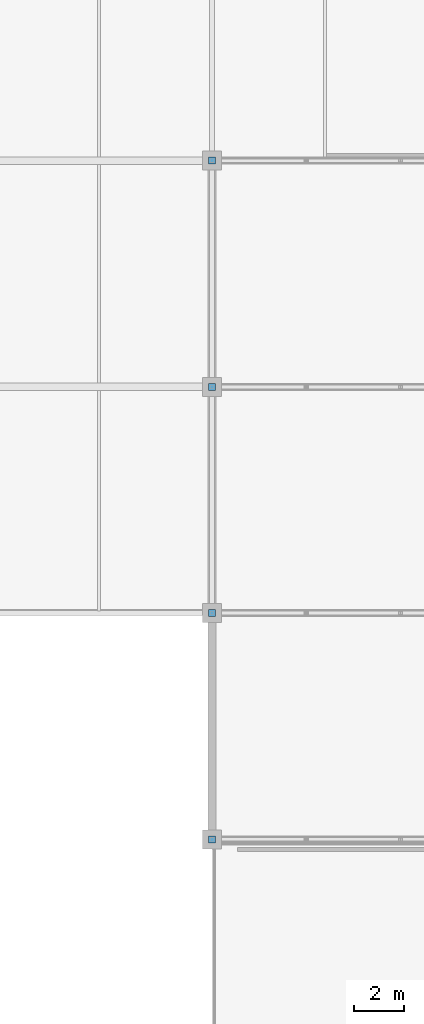
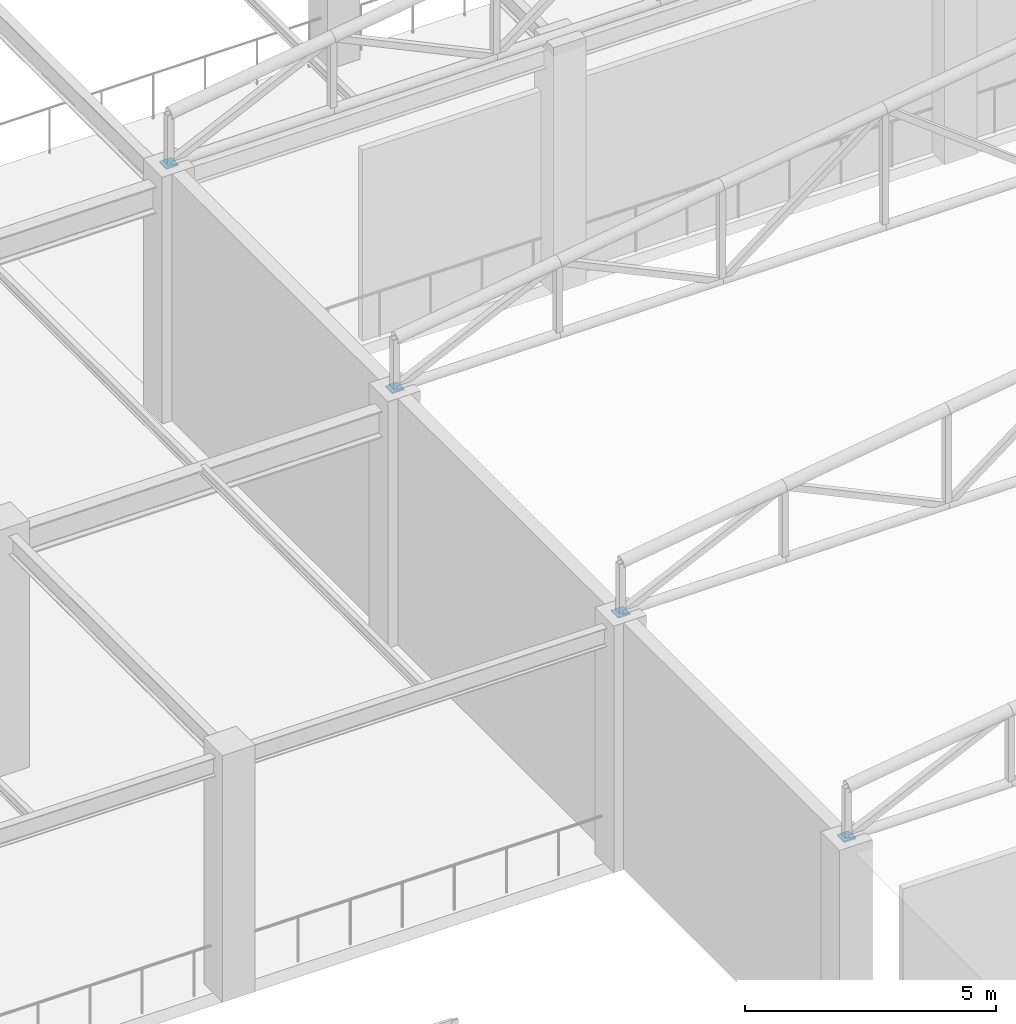
# One storey, part 199 of 223: 4 discrete accessories.
"""IFC4 building model written with IfcOpenShell, lengths in metres."""

from ifc_helpers import new_model, si_unit, direction, frame, origin, origin_2d, place, context, subcontext, project, spatial, rectangle, extrude, material, layer, layer_set, type_object, element, save


model = new_model("IFC4")

# Units and contexts
model_context = context("Model", 3, precision=1e-05, world=origin(), true_north=direction((0.0, 1.0)))
body_context = subcontext(model_context, "Body", "Model", "MODEL_VIEW")
ifc_project = project(units=[si_unit("LENGTHUNIT", "METRE"), si_unit("AREAUNIT", "SQUARE_METRE"), si_unit("VOLUMEUNIT", "CUBIC_METRE"), si_unit("PLANEANGLEUNIT", "RADIAN"), si_unit("MASSUNIT", "GRAM", prefix="KILO")], contexts=[model_context])

# Site, building, storey
site_placement = place(None, origin())
site = spatial("IfcSite", under=ifc_project, at=site_placement, CompositionType="ELEMENT")
building_placement = place(site_placement, origin())
building = spatial("IfcBuilding", under=site, at=building_placement, Name="Dornveld Trade and Exhibition Forum", CompositionType="ELEMENT")
storey_placement = place(building_placement, frame((0.0, 0.0, 6.0)))
storey = spatial("IfcBuildingStorey", under=building, at=storey_placement, Name="L01", CompositionType="ELEMENT", Elevation=6.0)

# Discrete accessories
ifc_material = material(Name="Steel S355J2", Category="steel")
ifc_layer = layer(ifc_material, 0.035888671875)
ifc_layer_set = layer_set([ifc_layer], Name="Steel S355J2")
discrete_accessory_type = type_object("IfcDiscreteAccessoryType", Name="ACC-CORE-EMB", PredefinedType="BRACKET", material=ifc_layer_set)
for number, where, z_axis, x_axis, name in (
    (1, (153.0, 18.0, 5.9619140625), (0.0, 0.0, 1.0), (1.0, 0.0, 0.0), "Core wall cast-in steel embed plate 1"),
    (2, (153.0, 27.0, 5.9619140625), (0.0, 0.0, 1.0), (1.0, 0.0, 0.0), "Core wall cast-in steel embed plate 2"),
    (3, (153.0, 36.0, 5.9619140625), (0.0, 0.0, 1.0), (1.0, 0.0, 0.0), "Core wall cast-in steel embed plate 3"),
    (4, (153.0, 45.0, 5.9619140625), (0.0, 0.0, 1.0), (1.0, 0.0, 0.0), "Core wall cast-in steel embed plate 4"),
):
    element("IfcDiscreteAccessory", number, at=place(storey_placement, frame(where, z_axis=z_axis, x_axis=x_axis)), inside=storey, type_object=discrete_accessory_type, Name=name, PredefinedType="BRACKET", context=body_context, shape_type="SweptSolid", body=[
        extrude(rectangle(XDim=0.280029296875, YDim=0.280029296875, at=origin_2d()), origin(), (0.0, 0.0, 1.0), 0.035888671875),
    ])

save(model, "model.ifc")
